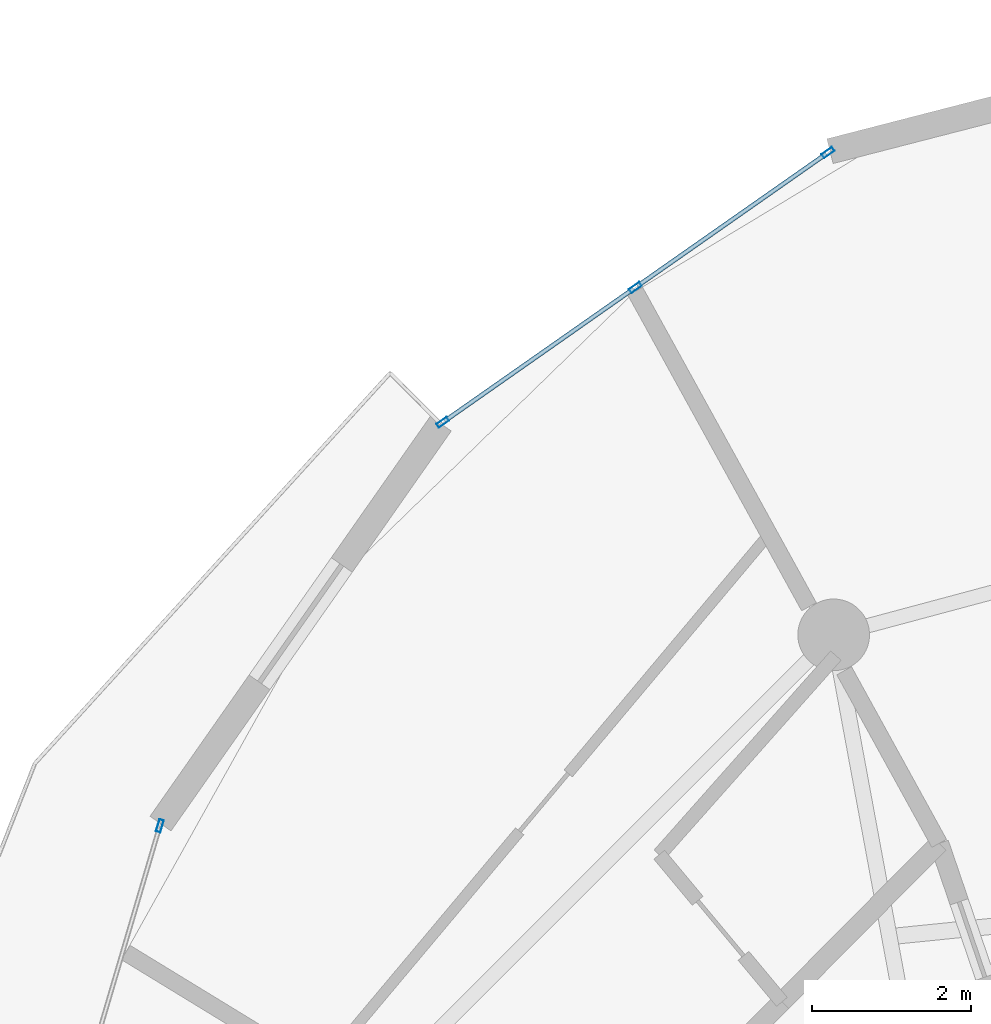
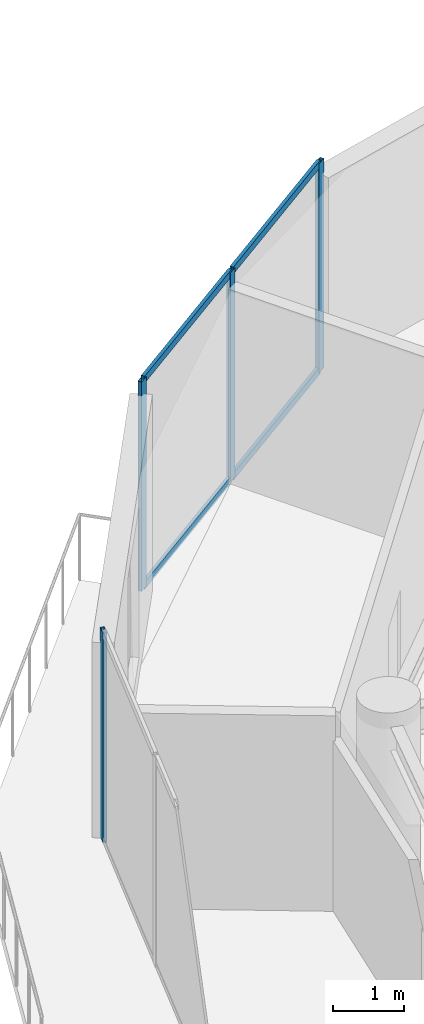
# One storey, part 12 of 21: 8 members, 2 elements without a shape of their own.
"""IFC4 building model written with IfcOpenShell, lengths in metres."""

import ifcopenshell
import ifcopenshell.guid

model = None  # the IFC model being written
_history = None  # IfcOwnerHistory: only IFC2X3 demands one
_inside = {}  # id of a spatial element -> (the spatial element, [elements in it])
_under = {}  # id of a project, library or spatial element -> (it, [spatial elements below it])
_declared = {}  # id of a project -> (the project, [libraries it declares])
_typed = {}  # id of a type object -> (the type object, [elements of that type])
_made_of = {}  # id of a material, layer set ... -> (it, [elements and type objects made of it])


def new_model(schema):
    """Start an empty IFC model of exactly this schema.

    Asked for "IFC4X3", IfcOpenShell would pick the latest addendum, in which some entities
    have other attributes; the version numbers below select the first issue.
    IFC2X3 requires an IfcOwnerHistory on every rooted entity: one is made here for all.
    """
    global model, _history
    if schema == "IFC4X3":
        model = ifcopenshell.file(schema_version=(4, 3, 0, 0))
    else:
        model = ifcopenshell.file(schema=schema)
    _inside.clear()
    _under.clear()
    _declared.clear()
    _typed.clear()
    _made_of.clear()
    _history = None
    if model.schema == "IFC2X3":
        org = make("IfcOrganization", Name="unknown")
        user = make(
            "IfcPersonAndOrganization",
            ThePerson=make("IfcPerson", FamilyName="unknown"),
            TheOrganization=org,
        )
        app = make(
            "IfcApplication",
            ApplicationDeveloper=org,
            Version="unknown",
            ApplicationFullName="unknown",
            ApplicationIdentifier="unknown",
        )
        _history = make(
            "IfcOwnerHistory",
            OwningUser=user,
            OwningApplication=app,
            ChangeAction="ADDED",
            CreationDate=0,
        )
    return model


def make(cls, **values):
    """One entity of the class cls with the attributes given. An attribute that is None is left unset."""
    return model.create_entity(
        cls, **{name: value for name, value in values.items() if value is not None}
    )


def rooted(cls, **values):
    """An entity with a GlobalId (a new one), such as an element, a storey or a relation."""
    return make(cls, GlobalId=ifcopenshell.guid.new(), OwnerHistory=_history, **values)


def si_unit(unit_type, name, prefix=None):
    """IfcSIUnit, for example si_unit("LENGTHUNIT", "METRE", prefix="MILLI")."""
    return make("IfcSIUnit", UnitType=unit_type, Prefix=prefix, Name=name)


def assignment(units):
    """IfcUnitAssignment: the units of a project."""
    return None if units is None else make("IfcUnitAssignment", Units=units)


def point(xyz):
    """IfcCartesianPoint."""
    return None if xyz is None else make("IfcCartesianPoint", Coordinates=xyz)


def direction(xyz):
    """IfcDirection."""
    return None if xyz is None else make("IfcDirection", DirectionRatios=xyz)


def frame(location, z_axis=None, x_axis=None):
    """IfcAxis2Placement3D, a coordinate frame: its origin and axes. An axis left out is left unset."""
    return make(
        "IfcAxis2Placement3D",
        Location=point(location),
        Axis=direction(z_axis),
        RefDirection=direction(x_axis),
    )


def frame_2d(location, x_axis=None):
    """IfcAxis2Placement2D, a coordinate frame in the plane: its origin and x axis."""
    return make(
        "IfcAxis2Placement2D", Location=point(location), RefDirection=direction(x_axis)
    )


def origin():
    """The frame at (0, 0, 0) with its axes left unset."""
    return frame((0.0, 0.0, 0.0))


def origin_2d():
    """The frame at (0, 0) in the plane with its x axis left unset."""
    return frame_2d((0.0, 0.0))


def place(relative_to, where):
    """IfcLocalPlacement: puts the frame where relative to a parent placement (None: the world)."""
    return make(
        "IfcLocalPlacement", PlacementRelTo=relative_to, RelativePlacement=where
    )


def context(
    kind, dimensions, precision=None, world=None, true_north=None, identifier=None
):
    """IfcGeometricRepresentationContext, for example the 3D "Model" context."""
    return make(
        "IfcGeometricRepresentationContext",
        ContextIdentifier=identifier,
        ContextType=kind,
        CoordinateSpaceDimension=dimensions,
        Precision=precision,
        WorldCoordinateSystem=world,
        TrueNorth=true_north,
    )


def subcontext(parent, identifier, kind, view, scale=None):
    """IfcGeometricRepresentationSubContext, for example "Body" below "Model"."""
    return make(
        "IfcGeometricRepresentationSubContext",
        ContextIdentifier=identifier,
        ContextType=kind,
        ParentContext=parent,
        TargetScale=scale,
        TargetView=view,
    )


def project(units=None, contexts=None):
    """IfcProject with its units and contexts."""
    return rooted(
        "IfcProject",
        Name="project",
        RepresentationContexts=contexts,
        UnitsInContext=assignment(units),
    )


def spatial(cls, under=None, at=None, **own):
    """A site, building, storey or space (cls), placed at a placement, below another one or the project."""
    s = rooted(cls, ObjectPlacement=at, **own)
    if under is not None:
        _under.setdefault(under.id(), (under, []))[1].append(s)
    return s


def profile(cls, at=None, kind="AREA", **sizes):
    """A parametric profile (cls). Its sizes go by their IFC names, for example OverallWidth=200.0."""
    return make(cls, ProfileType=kind, Position=at, **sizes)


def hollow_rectangle(**sizes):
    """IfcRectangleHollowProfileDef."""
    return profile("IfcRectangleHollowProfileDef", **sizes)


def extrude(swept, where, along, depth):
    """IfcExtrudedAreaSolid: the profile swept, set in the frame where, extruded along a direction by depth."""
    return make(
        "IfcExtrudedAreaSolid",
        SweptArea=swept,
        Position=where,
        ExtrudedDirection=direction(along),
        Depth=depth,
    )


def shape(context_of_items, identifier, shape_type, items):
    """IfcShapeRepresentation: the items that make up one representation, for example the "Body"."""
    return make(
        "IfcShapeRepresentation",
        ContextOfItems=context_of_items,
        RepresentationIdentifier=identifier,
        RepresentationType=shape_type,
        Items=items,
    )


def source(mapping_origin, context_of_items, identifier, shape_type, items):
    """IfcRepresentationMap: a shape defined once, which mapped items show again and again."""
    return make(
        "IfcRepresentationMap",
        MappingOrigin=mapping_origin,
        MappedRepresentation=shape(context_of_items, identifier, shape_type, items),
    )


def transform(
    local_origin,
    x_axis=None,
    y_axis=None,
    z_axis=None,
    scale=None,
    scale2=None,
    scale3=None,
    uniform=True,
):
    """IfcCartesianTransformationOperator3D, or its non-uniform kind. x_axis, y_axis, z_axis: its Axis1, 2, 3."""
    if uniform:
        return make(
            "IfcCartesianTransformationOperator3D",
            Axis1=direction(x_axis),
            Axis2=direction(y_axis),
            LocalOrigin=point(local_origin),
            Scale=scale,
            Axis3=direction(z_axis),
        )
    return make(
        "IfcCartesianTransformationOperator3DnonUniform",
        Axis1=direction(x_axis),
        Axis2=direction(y_axis),
        LocalOrigin=point(local_origin),
        Scale=scale,
        Axis3=direction(z_axis),
        Scale2=scale2,
        Scale3=scale3,
    )


def mapped(mapping_source, mapping_target):
    """IfcMappedItem: shows the shape of a source again, moved by a transform."""
    return make(
        "IfcMappedItem", MappingSource=mapping_source, MappingTarget=mapping_target
    )


def material(Name=None, Category=None):
    """IfcMaterial."""
    return make("IfcMaterial", Name=Name, Category=Category)


def layer(
    of_material, thickness, ventilated=None, Name=None, Category=None, Priority=None
):
    """IfcMaterialLayer: one layer of a wall or slab, of a material (None: an air gap)."""
    return make(
        "IfcMaterialLayer",
        Material=of_material,
        LayerThickness=thickness,
        IsVentilated=ventilated,
        Name=Name,
        Category=Category,
        Priority=Priority,
    )


def layer_set(layers, Name=None):
    """IfcMaterialLayerSet."""
    return make("IfcMaterialLayerSet", MaterialLayers=layers, LayerSetName=Name)


def material_profile(
    of_material, cross_section, Name=None, Category=None, Priority=None
):
    """IfcMaterialProfile: a cross section and its material."""
    return make(
        "IfcMaterialProfile",
        Name=Name,
        Material=of_material,
        Profile=cross_section,
        Priority=Priority,
        Category=Category,
    )


def profile_set(profiles, Name=None, composite=None):
    """IfcMaterialProfileSet."""
    return make(
        "IfcMaterialProfileSet",
        Name=Name,
        MaterialProfiles=profiles,
        CompositeProfile=composite,
    )


def made_of(thing, what):
    """Note that an element or type object is made of a material, layer set ...; save() writes the relation."""
    if what is not None:
        _made_of.setdefault(what.id(), (what, []))[1].append(thing)
    return thing


def type_object(cls, material=None, **own):
    """A type object (cls), such as IfcWallType, which elements share."""
    return made_of(rooted(cls, **own), material)


def element(
    cls,
    number,
    at=None,
    inside=None,
    cuts=None,
    type_object=None,
    material=None,
    context=None,
    identifier="Body",
    shape_type=None,
    held_by="IfcProductDefinitionShape",
    body=None,
    shapes=None,
    **own,
):
    """One element of the class cls, such as IfcWall. Its Tag is "e" and its number.

    at: its placement. inside: the storey or other place that contains it. cuts: it is an
    opening in that element (IfcRelVoidsElement). A single representation is given by context,
    identifier, shape_type and body (its items); several are given by shapes. held_by: the class
    of the entity that holds the representations. save() writes the other relations.
    """
    e = rooted(cls, Tag="e%d" % number, ObjectPlacement=at, **own)
    if body is not None:
        shapes = [shape(context, identifier, shape_type, body)]
    if shapes is not None:
        e.Representation = make(held_by, Representations=shapes)
    if inside is not None:
        _inside.setdefault(inside.id(), (inside, []))[1].append(e)
    if cuts is not None:
        rooted(
            "IfcRelVoidsElement", RelatingBuildingElement=cuts, RelatedOpeningElement=e
        )
    if type_object is not None:
        _typed.setdefault(type_object.id(), (type_object, []))[1].append(e)
    return made_of(e, material)


def aggregate(whole, parts):
    """IfcRelAggregates: a whole, such as a stair, and the parts it consists of."""
    return rooted("IfcRelAggregates", RelatingObject=whole, RelatedObjects=parts)


def save(model, path):
    """Write the relations noted so far, then the file.

    IfcRelAggregates (storeys below a building ...), IfcRelContainedInSpatialStructure (elements
    in a storey), IfcRelDefinesByType, IfcRelAssociatesMaterial and IfcRelDeclares: one each for
    every whole, place, type object, material and project.
    """
    for whole, parts in _under.values():
        aggregate(whole, parts)
    for where, things in _inside.values():
        rooted(
            "IfcRelContainedInSpatialStructure",
            RelatedElements=things,
            RelatingStructure=where,
        )
    for kind, things in _typed.values():
        rooted("IfcRelDefinesByType", RelatedObjects=things, RelatingType=kind)
    for what, things in _made_of.values():
        rooted("IfcRelAssociatesMaterial", RelatedObjects=things, RelatingMaterial=what)
    for by, libraries in _declared.values():
        rooted("IfcRelDeclares", RelatingContext=by, RelatedDefinitions=libraries)
    model.write(path)


model = new_model("IFC4")

# Units and contexts
model_context = context("Model", 3, precision=1e-05, world=origin(), true_north=direction((0.0, 1.0)))
body_context = subcontext(model_context, "Body", "Model", "MODEL_VIEW")
ifc_project = project(units=[si_unit("LENGTHUNIT", "METRE"), si_unit("AREAUNIT", "SQUARE_METRE"), si_unit("VOLUMEUNIT", "CUBIC_METRE"), si_unit("PLANEANGLEUNIT", "RADIAN"), si_unit("MASSUNIT", "GRAM", prefix="KILO")], contexts=[model_context])

# Site, building, storey
site_placement = place(None, origin())
site = spatial("IfcSite", under=ifc_project, at=site_placement, CompositionType="ELEMENT")
building_placement = place(site_placement, origin())
building = spatial("IfcBuilding", under=site, at=building_placement, Name="Solvirekh Grand Hotel", CompositionType="ELEMENT")
storey_placement = place(building_placement, frame((0.0, 0.0, 205.60009765625)))
storey = spatial("IfcBuildingStorey", under=building, at=storey_placement, Name="L53", CompositionType="ELEMENT", Elevation=205.60009765625)

# Curtain wall, members
ifc_material = material(Name="Anodized Bronze Aluminium 6063-T6", Category="aluminium")
ifc_layer = layer(ifc_material, 0.159912109375)
ifc_layer_set = layer_set([ifc_layer], Name="Anodized Bronze Aluminium 6063-T6")
curtain_wall_type = type_object("IfcCurtainWallType", Name="CW_Sys4_HighZoneFlushBronzeCW", PredefinedType="NOTDEFINED", material=ifc_layer_set)
curtain_wall_1_placement = place(storey_placement, origin())
curtain_wall_1 = element("IfcCurtainWall", 1, at=curtain_wall_1_placement, inside=storey, type_object=curtain_wall_type, Name="L53 unitised bronze-glass curtain wall CW-L53-C11", PredefinedType="NOTDEFINED")
ifc_material_profile_1 = material_profile(ifc_material, hollow_rectangle(XDim=0.06005859375, YDim=0.159912109375, WallThickness=0.0048828125, at=origin_2d()), Name="ALU RHS 160X60X5")
ifc_profile_set_1 = profile_set([ifc_material_profile_1], Name="Anodized Bronze Aluminium 6063-T6")
member_type_1 = type_object("IfcMemberType", Name="CWMullion_Sys4", PredefinedType="MULLION", material=ifc_profile_set_1)
shared_shape_1 = source(origin(), body_context, "Body", "SweptSolid", [
    extrude(hollow_rectangle(XDim=0.06005859375, YDim=0.159912109375, WallThickness=0.0048828125, at=origin_2d()), origin(), (0.0, 0.0, 1.0), 3.599853515625),
])
member_1_placement = place(storey_placement, frame((-7.970458984375, 19.73974609375, 0.0), z_axis=(0.0, 0.0, 1.0), x_axis=(0.573507335233, -0.81920042507, 0.0)))
member_1 = element("IfcMember", 2, at=member_1_placement, type_object=member_type_1, Name="U04 mullion 1", PredefinedType="MULLION", context=body_context, shape_type="MappedRepresentation", body=[
    mapped(shared_shape_1, transform((0.0, 0.0, 0.0), x_axis=(1.0, 0.0, 0.0), y_axis=(0.0, 1.0, 0.0), z_axis=(0.0, 0.0, 1.0), scale=1.0)),
])
member_2_placement = place(storey_placement, frame((-10.389892578125, 18.0458984375, 0.0), z_axis=(0.0, 0.0, 1.0), x_axis=(0.573507335233, -0.81920042507, 0.0)))
member_2 = element("IfcMember", 3, at=member_2_placement, type_object=member_type_1, Name="U04 mullion 2", PredefinedType="MULLION", context=body_context, shape_type="MappedRepresentation", body=[
    mapped(shared_shape_1, transform((0.0, 0.0, 0.0), x_axis=(1.0, 0.0, 0.0), y_axis=(0.0, 1.0, 0.0), z_axis=(0.0, 0.0, 1.0), scale=1.0)),
])
member_3_placement = place(storey_placement, frame((-12.809326171875, 16.352294921875, 0.0), z_axis=(0.0, 0.0, 1.0), x_axis=(0.573507335233, -0.81920042507, 0.0)))
member_3 = element("IfcMember", 4, at=member_3_placement, type_object=member_type_1, Name="U04 mullion 3", PredefinedType="MULLION", context=body_context, shape_type="MappedRepresentation", body=[
    mapped(shared_shape_1, transform((0.0, 0.0, 0.0), x_axis=(1.0, 0.0, 0.0), y_axis=(0.0, 1.0, 0.0), z_axis=(0.0, 0.0, 1.0), scale=1.0)),
])

# Curtain wall, member
curtain_wall_2_placement = place(storey_placement, origin())
curtain_wall_2 = element("IfcCurtainWall", 5, at=curtain_wall_2_placement, inside=storey, type_object=curtain_wall_type, Name="L53 unitised bronze-glass curtain wall CW-L53-C13", PredefinedType="NOTDEFINED")
member_4_placement = place(storey_placement, frame((-16.361572265625, 11.2841796875, 0.0), z_axis=(0.0, 0.0, 1.0), x_axis=(0.959210822515, -0.282691701277, 0.0)))
member_4 = element("IfcMember", 6, at=member_4_placement, type_object=member_type_1, Name="U04 mullion 1", PredefinedType="MULLION", context=body_context, shape_type="MappedRepresentation", body=[
    mapped(shared_shape_1, transform((0.0, 0.0, 0.0), x_axis=(1.0, 0.0, 0.0), y_axis=(0.0, 1.0, 0.0), z_axis=(0.0, 0.0, 1.0), scale=1.0)),
])
aggregate(curtain_wall_2, [member_4])

# Member
ifc_material_profile_2 = material_profile(ifc_material, hollow_rectangle(XDim=0.054931640625, YDim=0.1201171875, WallThickness=0.00390625, at=origin_2d()), Name="ALU RHS 120X55X4")
ifc_profile_set_2 = profile_set([ifc_material_profile_2], Name="Anodized Bronze Aluminium 6063-T6")
member_type_2 = type_object("IfcMemberType", Name="CWTransom_Sys4", PredefinedType="USERDEFINED", material=ifc_profile_set_2)
shared_shape_2 = source(origin(), body_context, "Body", "SweptSolid", [
    extrude(hollow_rectangle(XDim=0.054931640625, YDim=0.1201171875, WallThickness=0.00390625, at=origin_2d()), origin(), (0.0, 0.0, 1.0), 2.8935546875),
])
member_5_placement = place(storey_placement, frame((-7.9951171875, 19.72265625, 0.02734375), z_axis=(-0.81920417183, -0.573501983307, 0.0), x_axis=(0.573501983307, -0.81920417183, 0.0)))
member_5 = element("IfcMember", 7, at=member_5_placement, type_object=member_type_2, Name="U04 transom 1.1", ObjectType="TRANSOM", PredefinedType="USERDEFINED", context=body_context, shape_type="MappedRepresentation", body=[
    mapped(shared_shape_2, transform((0.0, 0.0, 0.0), x_axis=(1.0, 0.0, 0.0), y_axis=(0.0, 1.0, 0.0), z_axis=(0.0, 0.0, 1.0), scale=1.0)),
])

member_6_placement = place(storey_placement, frame((-7.9951171875, 19.72265625, 3.572509765625), z_axis=(-0.81920417183, -0.573501983307, 0.0), x_axis=(0.573501983307, -0.81920417183, 0.0)))
member_6 = element("IfcMember", 8, at=member_6_placement, type_object=member_type_2, Name="U04 transom 1.2", ObjectType="TRANSOM", PredefinedType="USERDEFINED", context=body_context, shape_type="MappedRepresentation", body=[
    mapped(shared_shape_2, transform((0.0, 0.0, 0.0), x_axis=(1.0, 0.0, 0.0), y_axis=(0.0, 1.0, 0.0), z_axis=(0.0, 0.0, 1.0), scale=1.0)),
])

member_7_placement = place(storey_placement, frame((-10.41455078125, 18.02880859375, 0.02734375), z_axis=(-0.81920417183, -0.573501983307, 0.0), x_axis=(0.573501983307, -0.81920417183, 0.0)))
member_7 = element("IfcMember", 9, at=member_7_placement, type_object=member_type_2, Name="U04 transom 2.1", ObjectType="TRANSOM", PredefinedType="USERDEFINED", context=body_context, shape_type="MappedRepresentation", body=[
    mapped(shared_shape_2, transform((0.0, 0.0, 0.0), x_axis=(1.0, 0.0, 0.0), y_axis=(0.0, 1.0, 0.0), z_axis=(0.0, 0.0, 1.0), scale=1.0)),
])

member_8_placement = place(storey_placement, frame((-10.41455078125, 18.02880859375, 3.572509765625), z_axis=(-0.81920417183, -0.573501983307, 0.0), x_axis=(0.573501983307, -0.81920417183, 0.0)))
member_8 = element("IfcMember", 10, at=member_8_placement, type_object=member_type_2, Name="U04 transom 2.2", ObjectType="TRANSOM", PredefinedType="USERDEFINED", context=body_context, shape_type="MappedRepresentation", body=[
    mapped(shared_shape_2, transform((0.0, 0.0, 0.0), x_axis=(1.0, 0.0, 0.0), y_axis=(0.0, 1.0, 0.0), z_axis=(0.0, 0.0, 1.0), scale=1.0)),
])

aggregate(curtain_wall_1, [member_1, member_2, member_3, member_5, member_6, member_7, member_8])

save(model, "model.ifc")
